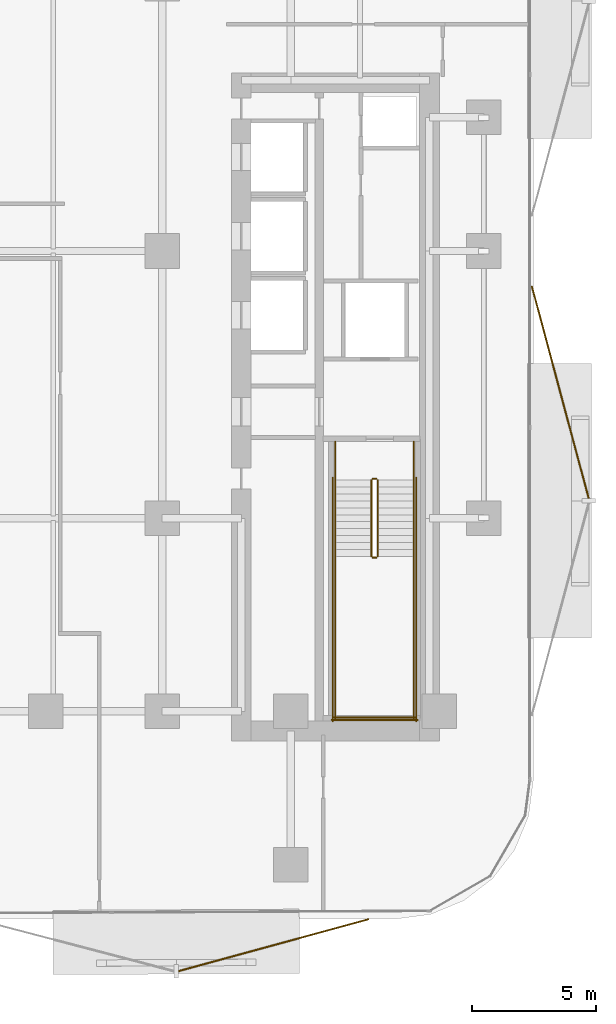
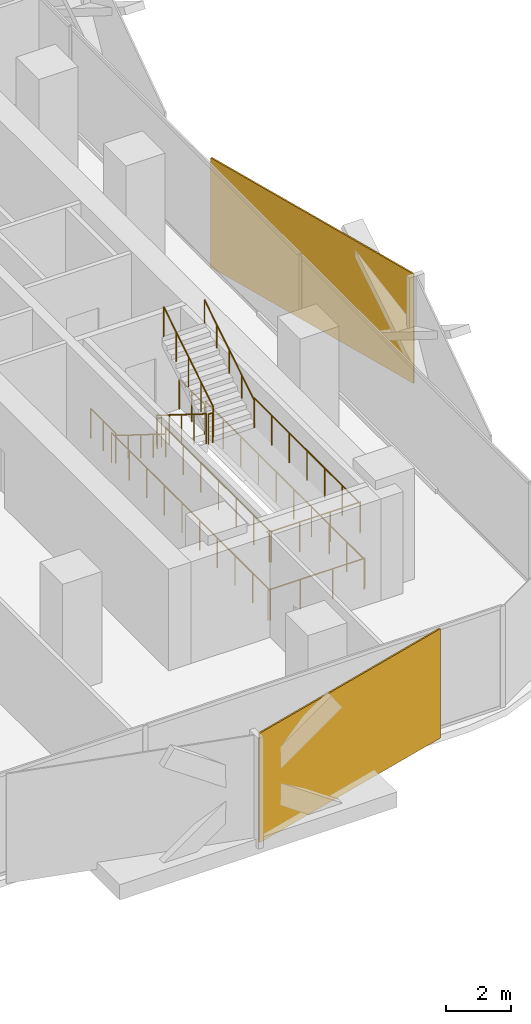
# One storey, part 14 of 16: 14 railings, 2 coverings.
"""IFC4 building model written with IfcOpenShell, lengths in metres."""

from ifc_helpers import new_model, si_unit, direction, frame, origin, origin_2d, place, context, subcontext, project, spatial, rectangle, circle, extrude, material, layer, layer_set, type_object, element, save


model = new_model("IFC4")

# Units and contexts
model_context = context("Model", 3, precision=1e-05, world=origin(), true_north=direction((0.0, 1.0)))
body_context = subcontext(model_context, "Body", "Model", "MODEL_VIEW")
ifc_project = project(units=[si_unit("LENGTHUNIT", "METRE"), si_unit("AREAUNIT", "SQUARE_METRE"), si_unit("VOLUMEUNIT", "CUBIC_METRE"), si_unit("PLANEANGLEUNIT", "RADIAN"), si_unit("MASSUNIT", "GRAM", prefix="KILO")], contexts=[model_context])

# Site, building, storey
site_placement = place(None, origin())
site = spatial("IfcSite", under=ifc_project, at=site_placement, CompositionType="ELEMENT")
building_placement = place(site_placement, origin())
building = spatial("IfcBuilding", under=site, at=building_placement, Name="Khairoan Windgate Tower", CompositionType="ELEMENT")
storey_placement = place(building_placement, frame((0.0, 0.0, 80.60009765625)))
storey = spatial("IfcBuildingStorey", under=building, at=storey_placement, Name="L19", CompositionType="ELEMENT", Elevation=80.60009765625)

# Coverings
ifc_material_1 = material(Name="Anodised Bronze Aluminium 6063-T6", Category="aluminium")
ifc_layer = layer(ifc_material_1, 0.054931640625, Name="Anodised Bronze Aluminium 6063-T6")
ifc_layer_set = layer_set([ifc_layer], Name="Anodised Bronze Aluminium 6063-T6")
covering_type = type_object("IfcCoveringType", Name="Perforated Bronze-Ceramic Folded Solar Screen Cladding BSC-1", PredefinedType="CLADDING", material=ifc_layer_set)
covering_1_placement = place(storey_placement, frame((13.705322265625, -28.052734375, -0.10009765625), z_axis=(0.0, 0.0, 1.0), x_axis=(-0.964649468762, -0.263536339841, 0.0)))
element("IfcCovering", 1, at=covering_1_placement, inside=storey, type_object=covering_type, Name="L19 Folded Bronze Solar Screen Facet 105L", PredefinedType="CLADDING", context=body_context, shape_type="SweptSolid", body=[
    extrude(rectangle(XDim=7.965087890625, YDim=0.054931640625, at=origin_2d()), origin(), (0.0, 0.0, 1.0), 4.139892578125),
])
covering_2_placement = place(storey_placement, frame((25.290283203125, -5.71484375, -0.10009765625), z_axis=(0.0, 0.0, 1.0), x_axis=(0.258819045103, -0.965925826289, 0.0)))
element("IfcCovering", 2, at=covering_2_placement, inside=storey, type_object=covering_type, Name="L19 Folded Bronze Solar Screen Facet 112L", PredefinedType="CLADDING", context=body_context, shape_type="SweptSolid", body=[
    extrude(rectangle(XDim=8.884033203125, YDim=0.054931640625, at=origin_2d()), origin(), (0.0, 0.0, 1.0), 4.139892578125),
])

# Railings
ifc_material_2 = material(Name="Anodised Bronze Aluminium 6063-T6", Category="aluminium")
railing_type_1 = type_object("IfcRailingType", Name="Stair Wall Handrail SHR-900", PredefinedType="HANDRAIL", material=ifc_material_2)
railing_1_placement = place(storey_placement, frame((16.199951171875, -9.260009765625, 0.1748046875)))
element("IfcRailing", 3, at=railing_1_placement, inside=storey, type_object=railing_type_1, Name="L19 ST1 stair handrail 1", PredefinedType="HANDRAIL", context=body_context, shape_type="SweptSolid", body=[
    extrude(circle(Radius=0.02392578125, at=origin_2d()), frame((0.0, 0.0, 0.8759765625), z_axis=(0.0, -0.847998304005, 0.529998940003), x_axis=(1.0, 0.0, 0.0)), (0.0, 0.0, 1.0), 3.632080078125),
    extrude(circle(Radius=0.02099609375, at=origin_2d()), origin(), (0.0, 0.0, 1.0), 0.851806640625),
    extrude(circle(Radius=0.02099609375, at=origin_2d()), frame((0.0, -0.77001953125, 0.481201171875)), (0.0, 0.0, 1.0), 0.851806640625),
    extrude(circle(Radius=0.02099609375, at=origin_2d()), frame((0.0, -1.5400390625, 0.96240234375)), (0.0, 0.0, 1.0), 0.851806640625),
    extrude(circle(Radius=0.02099609375, at=origin_2d()), frame((0.0, -2.31005859375, 1.44384765625)), (0.0, 0.0, 1.0), 0.851806640625),
    extrude(circle(Radius=0.02099609375, at=origin_2d()), frame((0.0, -3.080078125, 1.925048828125)), (0.0, 0.0, 1.0), 0.851806640625),
])
railing_2_placement = place(storey_placement, frame((19.3701171875, -12.340087890625, 2.27490234375)))
element("IfcRailing", 4, at=railing_2_placement, inside=storey, type_object=railing_type_1, Name="L19 ST1 stair handrail 2", PredefinedType="HANDRAIL", context=body_context, shape_type="SweptSolid", body=[
    extrude(circle(Radius=0.02392578125, at=origin_2d()), frame((0.0, 0.0, 0.8759765625), z_axis=(0.0, 0.847998304005, 0.529998940003), x_axis=(-1.0, 0.0, 0.0)), (0.0, 0.0, 1.0), 3.632080078125),
    extrude(circle(Radius=0.02099609375, at=origin_2d()), origin(), (0.0, 0.0, 1.0), 0.851806640625),
    extrude(circle(Radius=0.02099609375, at=origin_2d()), frame((0.0, 0.77001953125, 0.481201171875)), (0.0, 0.0, 1.0), 0.851806640625),
    extrude(circle(Radius=0.02099609375, at=origin_2d()), frame((0.0, 1.5400390625, 0.96240234375)), (0.0, 0.0, 1.0), 0.851806640625),
    extrude(circle(Radius=0.02099609375, at=origin_2d()), frame((0.0, 2.31005859375, 1.44384765625)), (0.0, 0.0, 1.0), 0.851806640625),
    extrude(circle(Radius=0.02099609375, at=origin_2d()), frame((0.0, 3.080078125, 1.925048828125)), (0.0, 0.0, 1.0), 0.851806640625),
])
ifc_material_3 = material(Name="Steel S355", Category="steel")
railing_type_2 = type_object("IfcRailingType", Name="Stairwell Safety Guardrail SGR-1150", PredefinedType="GUARDRAIL", material=ifc_material_3)
railing_3_placement = place(storey_placement, frame((17.659912109375, -9.260009765625, 0.1748046875)))
element("IfcRailing", 5, at=railing_3_placement, inside=storey, type_object=railing_type_2, Name="L19 ST1 stair guard 1", PredefinedType="GUARDRAIL", context=body_context, shape_type="SweptSolid", body=[
    extrude(circle(Radius=0.02392578125, at=origin_2d()), frame((0.0, 0.0, 1.1259765625), z_axis=(0.0, -0.847998304005, 0.529998940003), x_axis=(1.0, 0.0, 0.0)), (0.0, 0.0, 1.0), 3.632080078125),
    extrude(circle(Radius=0.02099609375, at=origin_2d()), origin(), (0.0, 0.0, 1.0), 1.101806640625),
    extrude(circle(Radius=0.02099609375, at=origin_2d()), frame((0.0, -0.77001953125, 0.481201171875)), (0.0, 0.0, 1.0), 1.101806640625),
    extrude(circle(Radius=0.02099609375, at=origin_2d()), frame((0.0, -1.5400390625, 0.96240234375)), (0.0, 0.0, 1.0), 1.101806640625),
    extrude(circle(Radius=0.02099609375, at=origin_2d()), frame((0.0, -2.31005859375, 1.44384765625)), (0.0, 0.0, 1.0), 1.101806640625),
    extrude(circle(Radius=0.02099609375, at=origin_2d()), frame((0.0, -3.080078125, 1.925048828125)), (0.0, 0.0, 1.0), 1.101806640625),
])
railing_4_placement = place(storey_placement, frame((17.7099609375, -12.389892578125, 2.099853515625)))
element("IfcRailing", 6, at=railing_4_placement, inside=storey, type_object=railing_type_2, Name="L19 ST1 stair guard 2", PredefinedType="GUARDRAIL", context=body_context, shape_type="SweptSolid", body=[
    extrude(circle(Radius=0.02392578125, at=origin_2d()), frame((0.0, 0.0, 1.1259765625), z_axis=(1.0, 0.0, 0.0), x_axis=(0.0, 1.0, 0.0)), (0.0, 0.0, 1.0), 0.150146484375),
    extrude(circle(Radius=0.02099609375, at=origin_2d()), origin(), (0.0, 0.0, 1.0), 1.101806640625),
    extrude(circle(Radius=0.02099609375, at=origin_2d()), frame((0.150146484375, 0.0, 0.0)), (0.0, 0.0, 1.0), 1.101806640625),
])
for number, where, name in (
    (7, (16.199951171875, -12.340087890625, 2.099853515625), "L19 ST1 stair guard 3"),
    (8, (19.3701171875, -12.340087890625, 2.099853515625), "L19 ST1 stair guard 4"),
):
    element("IfcRailing", number, at=place(storey_placement, frame(where)), inside=storey, type_object=railing_type_2, Name=name, PredefinedType="GUARDRAIL", context=body_context, shape_type="SweptSolid", body=[
        extrude(circle(Radius=0.02392578125, at=origin_2d()), frame((0.0, 0.0, 1.1259765625), z_axis=(0.0, -1.0, 0.0), x_axis=(1.0, 0.0, 0.0)), (0.0, 0.0, 1.0), 6.559814453125),
        extrude(circle(Radius=0.02099609375, at=origin_2d()), origin(), (0.0, 0.0, 1.0), 1.101806640625),
        extrude(circle(Radius=0.02099609375, at=origin_2d()), frame((0.0, -1.09326171875, 0.0)), (0.0, 0.0, 1.0), 1.101806640625),
        extrude(circle(Radius=0.02099609375, at=origin_2d()), frame((0.0, -2.1865234375, 0.0)), (0.0, 0.0, 1.0), 1.101806640625),
        extrude(circle(Radius=0.02099609375, at=origin_2d()), frame((0.0, -3.27978515625, 0.0)), (0.0, 0.0, 1.0), 1.101806640625),
        extrude(circle(Radius=0.02099609375, at=origin_2d()), frame((0.0, -4.373291015625, 0.0)), (0.0, 0.0, 1.0), 1.101806640625),
        extrude(circle(Radius=0.02099609375, at=origin_2d()), frame((0.0, -5.466552734375, 0.0)), (0.0, 0.0, 1.0), 1.101806640625),
        extrude(circle(Radius=0.02099609375, at=origin_2d()), frame((0.0, -6.559814453125, 0.0)), (0.0, 0.0, 1.0), 1.101806640625),
    ])
railing_5_placement = place(storey_placement, frame((16.14990234375, -18.85009765625, 2.099853515625)))
element("IfcRailing", 9, at=railing_5_placement, inside=storey, type_object=railing_type_2, Name="L19 ST1 stair guard 5", PredefinedType="GUARDRAIL", context=body_context, shape_type="SweptSolid", body=[
    extrude(circle(Radius=0.02392578125, at=origin_2d()), frame((0.0, 0.0, 1.1259765625), z_axis=(1.0, 0.0, 0.0), x_axis=(0.0, 1.0, 0.0)), (0.0, 0.0, 1.0), 3.27001953125),
    extrude(circle(Radius=0.02099609375, at=origin_2d()), origin(), (0.0, 0.0, 1.0), 1.101806640625),
    extrude(circle(Radius=0.02099609375, at=origin_2d()), frame((1.090087890625, 0.0, 0.0)), (0.0, 0.0, 1.0), 1.101806640625),
    extrude(circle(Radius=0.02099609375, at=origin_2d()), frame((2.179931640625, 0.0, 0.0)), (0.0, 0.0, 1.0), 1.101806640625),
    extrude(circle(Radius=0.02099609375, at=origin_2d()), frame((3.27001953125, 0.0, 0.0)), (0.0, 0.0, 1.0), 1.101806640625),
])
railing_6_placement = place(storey_placement, frame((17.909912109375, -12.340087890625, 2.27490234375)))
element("IfcRailing", 10, at=railing_6_placement, inside=storey, type_object=railing_type_2, Name="L19 ST1 stair guard 6", PredefinedType="GUARDRAIL", context=body_context, shape_type="SweptSolid", body=[
    extrude(circle(Radius=0.02392578125, at=origin_2d()), frame((0.0, 0.0, 1.1259765625), z_axis=(0.0, 0.847998304005, 0.529998940003), x_axis=(-1.0, 0.0, 0.0)), (0.0, 0.0, 1.0), 3.632080078125),
    extrude(circle(Radius=0.02099609375, at=origin_2d()), origin(), (0.0, 0.0, 1.0), 1.101806640625),
    extrude(circle(Radius=0.02099609375, at=origin_2d()), frame((0.0, 0.77001953125, 0.481201171875)), (0.0, 0.0, 1.0), 1.101806640625),
    extrude(circle(Radius=0.02099609375, at=origin_2d()), frame((0.0, 1.5400390625, 0.96240234375)), (0.0, 0.0, 1.0), 1.101806640625),
    extrude(circle(Radius=0.02099609375, at=origin_2d()), frame((0.0, 2.31005859375, 1.44384765625)), (0.0, 0.0, 1.0), 1.101806640625),
    extrude(circle(Radius=0.02099609375, at=origin_2d()), frame((0.0, 3.080078125, 1.925048828125)), (0.0, 0.0, 1.0), 1.101806640625),
])
railing_7_placement = place(storey_placement, frame((17.7099609375, -9.2099609375, 0.0)))
element("IfcRailing", 11, at=railing_7_placement, inside=storey, type_object=railing_type_2, Name="L19 ST1 stair guard 7", PredefinedType="GUARDRAIL", context=body_context, shape_type="SweptSolid", body=[
    extrude(circle(Radius=0.02392578125, at=origin_2d()), frame((0.0, 0.0, 1.1259765625), z_axis=(1.0, 0.0, 0.0), x_axis=(0.0, 1.0, 0.0)), (0.0, 0.0, 1.0), 0.150146484375),
    extrude(circle(Radius=0.02099609375, at=origin_2d()), origin(), (0.0, 0.0, 1.0), 1.101806640625),
    extrude(circle(Radius=0.02099609375, at=origin_2d()), frame((0.150146484375, 0.0, 0.0)), (0.0, 0.0, 1.0), 1.101806640625),
])
for number, where, name in (
    (12, (16.199951171875, -7.699951171875, 0.0), "L19 ST1 stair guard 8"),
    (13, (19.3701171875, -7.699951171875, 0.0), "L19 ST1 stair guard 9"),
):
    element("IfcRailing", number, at=place(storey_placement, frame(where)), inside=storey, type_object=railing_type_2, Name=name, PredefinedType="GUARDRAIL", context=body_context, shape_type="SweptSolid", body=[
        extrude(circle(Radius=0.02392578125, at=origin_2d()), frame((0.0, 0.0, 1.1259765625), z_axis=(0.0, -1.0, 0.0), x_axis=(1.0, 0.0, 0.0)), (0.0, 0.0, 1.0), 1.56005859375),
        extrude(circle(Radius=0.02099609375, at=origin_2d()), origin(), (0.0, 0.0, 1.0), 1.101806640625),
        extrude(circle(Radius=0.02099609375, at=origin_2d()), frame((0.0, -0.780029296875, 0.0)), (0.0, 0.0, 1.0), 1.101806640625),
        extrude(circle(Radius=0.02099609375, at=origin_2d()), frame((0.0, -1.56005859375, 0.0)), (0.0, 0.0, 1.0), 1.101806640625),
    ])
for number, where, name in (
    (14, (16.10009765625, -9.159912109375, 0.0), "L19 ST1 stair guard 10"),
    (15, (19.469970703125, -9.159912109375, 0.0), "L19 ST1 stair guard 11"),
):
    element("IfcRailing", number, at=place(storey_placement, frame(where)), inside=storey, type_object=railing_type_2, Name=name, PredefinedType="GUARDRAIL", context=body_context, shape_type="SweptSolid", body=[
        extrude(circle(Radius=0.02392578125, at=origin_2d()), frame((0.0, 0.0, 1.1259765625), z_axis=(0.0, -1.0, 0.0), x_axis=(1.0, 0.0, 0.0)), (0.0, 0.0, 1.0), 9.840087890625),
        extrude(circle(Radius=0.02099609375, at=origin_2d()), origin(), (0.0, 0.0, 1.0), 1.101806640625),
        extrude(circle(Radius=0.02099609375, at=origin_2d()), frame((0.0, -1.09326171875, 0.0)), (0.0, 0.0, 1.0), 1.101806640625),
        extrude(circle(Radius=0.02099609375, at=origin_2d()), frame((0.0, -2.186767578125, 0.0)), (0.0, 0.0, 1.0), 1.101806640625),
        extrude(circle(Radius=0.02099609375, at=origin_2d()), frame((0.0, -3.280029296875, 0.0)), (0.0, 0.0, 1.0), 1.101806640625),
        extrude(circle(Radius=0.02099609375, at=origin_2d()), frame((0.0, -4.373291015625, 0.0)), (0.0, 0.0, 1.0), 1.101806640625),
        extrude(circle(Radius=0.02099609375, at=origin_2d()), frame((0.0, -5.466796875, 0.0)), (0.0, 0.0, 1.0), 1.101806640625),
        extrude(circle(Radius=0.02099609375, at=origin_2d()), frame((0.0, -6.56005859375, 0.0)), (0.0, 0.0, 1.0), 1.101806640625),
        extrude(circle(Radius=0.02099609375, at=origin_2d()), frame((0.0, -7.6533203125, 0.0)), (0.0, 0.0, 1.0), 1.101806640625),
        extrude(circle(Radius=0.02099609375, at=origin_2d()), frame((0.0, -8.746826171875, 0.0)), (0.0, 0.0, 1.0), 1.101806640625),
        extrude(circle(Radius=0.02099609375, at=origin_2d()), frame((0.0, -9.840087890625, 0.0)), (0.0, 0.0, 1.0), 1.101806640625),
    ])
railing_8_placement = place(storey_placement, frame((16.050048828125, -18.949951171875, 0.0)))
element("IfcRailing", 16, at=railing_8_placement, inside=storey, type_object=railing_type_2, Name="L19 ST1 stair guard 12", PredefinedType="GUARDRAIL", context=body_context, shape_type="SweptSolid", body=[
    extrude(circle(Radius=0.02392578125, at=origin_2d()), frame((0.0, 0.0, 1.1259765625), z_axis=(1.0, 0.0, 0.0), x_axis=(0.0, 1.0, 0.0)), (0.0, 0.0, 1.0), 3.469970703125),
    extrude(circle(Radius=0.02099609375, at=origin_2d()), origin(), (0.0, 0.0, 1.0), 1.101806640625),
    extrude(circle(Radius=0.02099609375, at=origin_2d()), frame((1.15673828125, 0.0, 0.0)), (0.0, 0.0, 1.0), 1.101806640625),
    extrude(circle(Radius=0.02099609375, at=origin_2d()), frame((2.313232421875, 0.0, 0.0)), (0.0, 0.0, 1.0), 1.101806640625),
    extrude(circle(Radius=0.02099609375, at=origin_2d()), frame((3.469970703125, 0.0, 0.0)), (0.0, 0.0, 1.0), 1.101806640625),
])

save(model, "model.ifc")
